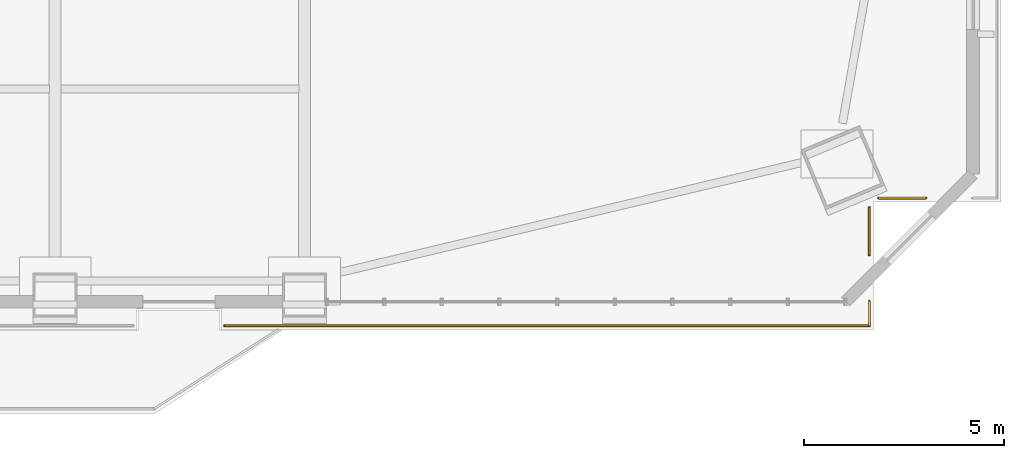
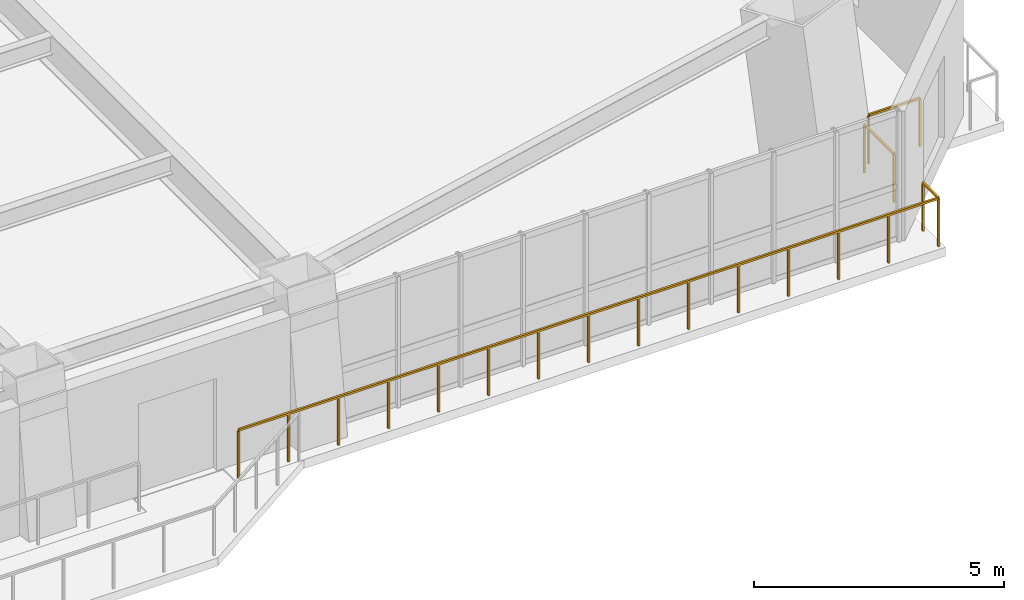
# One storey, part 14 of 17: 4 railings.
"""IFC4 building model written with IfcOpenShell, lengths in metres."""

from ifc_helpers import new_model, si_unit, direction, frame, origin, origin_2d, place, context, subcontext, project, spatial, rectangle, extrude, material, type_object, element, save


model = new_model("IFC4")

# Units and contexts
model_context = context("Model", 3, precision=1e-05, world=origin(), true_north=direction((0.0, 1.0)))
body_context = subcontext(model_context, "Body", "Model", "MODEL_VIEW")
ifc_project = project(units=[si_unit("LENGTHUNIT", "METRE"), si_unit("AREAUNIT", "SQUARE_METRE"), si_unit("VOLUMEUNIT", "CUBIC_METRE"), si_unit("PLANEANGLEUNIT", "RADIAN"), si_unit("MASSUNIT", "GRAM", prefix="KILO")], contexts=[model_context])

# Site, building, storey
site_placement = place(None, origin())
site = spatial("IfcSite", under=ifc_project, at=site_placement, CompositionType="ELEMENT")
building_placement = place(site_placement, origin())
building = spatial("IfcBuilding", under=site, at=building_placement, Name="Giltprow Tower", CompositionType="ELEMENT")
storey_placement = place(building_placement, frame((0.0, 0.0, 33.199951171875)))
storey = spatial("IfcBuildingStorey", under=building, at=storey_placement, Name="L08", CompositionType="ELEMENT", Elevation=33.199951171875)

# Railings
ifc_material = material(Name="Anodized bronze", Category="metal")
railing_type = type_object("IfcRailingType", Name="RAIL-BALC-GUARD-1200", PredefinedType="BALUSTRADE", material=ifc_material)
railing_1_placement = place(storey_placement, frame((66.1201171875, 5.89990234375, 0.0)))
element("IfcRailing", 1, at=railing_1_placement, inside=storey, type_object=railing_type, Name="L08 Corner Apron Edge Balustrade 18", PredefinedType="BALUSTRADE", context=body_context, shape_type="SweptSolid", body=[
    extrude(rectangle(XDim=0.048095703125, YDim=0.048095703125, at=origin_2d()), frame((0.0, 0.0, 1.17578125), z_axis=(-1.0, 0.0, 0.0), x_axis=(0.0, -1.0, 0.0)), (0.0, 0.0, 1.0), 1.18505859375),
    extrude(rectangle(XDim=0.0419921875, YDim=0.0419921875, at=origin_2d()), origin(), (0.0, 0.0, 1.0), 1.15185546875),
    extrude(rectangle(XDim=0.0419921875, YDim=0.0419921875, at=origin_2d()), frame((-1.18505859375, 0.0, 0.0)), (0.0, 0.0, 1.0), 1.15185546875),
])
railing_2_placement = place(storey_placement, frame((64.699951171875, 5.6650390625, 0.0)))
element("IfcRailing", 2, at=railing_2_placement, inside=storey, type_object=railing_type, Name="L08 Corner Apron Edge Balustrade 19", PredefinedType="BALUSTRADE", context=body_context, shape_type="SweptSolid", body=[
    extrude(rectangle(XDim=0.048095703125, YDim=0.048095703125, at=origin_2d()), frame((0.0, 0.0, 1.17578125), z_axis=(0.0, -1.0, 0.0), x_axis=(1.0, 0.0, 0.0)), (0.0, 0.0, 1.0), 1.18505859375),
    extrude(rectangle(XDim=0.0419921875, YDim=0.0419921875, at=origin_2d()), origin(), (0.0, 0.0, 1.0), 1.15185546875),
    extrude(rectangle(XDim=0.0419921875, YDim=0.0419921875, at=origin_2d()), frame((0.0, -1.18505859375, 0.0)), (0.0, 0.0, 1.0), 1.15185546875),
])
railing_3_placement = place(storey_placement, frame((64.699951171875, 3.320068359375, 0.0)))
element("IfcRailing", 3, at=railing_3_placement, inside=storey, type_object=railing_type, Name="L08 Corner Apron Edge Balustrade 20", PredefinedType="BALUSTRADE", context=body_context, shape_type="SweptSolid", body=[
    extrude(rectangle(XDim=0.048095703125, YDim=0.048095703125, at=origin_2d()), frame((0.0, 0.0, 1.17578125), z_axis=(0.0, -1.0, 0.0), x_axis=(1.0, 0.0, 0.0)), (0.0, 0.0, 1.0), 0.6201171875),
    extrude(rectangle(XDim=0.0419921875, YDim=0.0419921875, at=origin_2d()), origin(), (0.0, 0.0, 1.0), 1.15185546875),
    extrude(rectangle(XDim=0.0419921875, YDim=0.0419921875, at=origin_2d()), frame((0.0, -0.6201171875, 0.0)), (0.0, 0.0, 1.0), 1.15185546875),
])
railing_4_placement = place(storey_placement, frame((64.699951171875, 2.699951171875, 0.0)))
element("IfcRailing", 4, at=railing_4_placement, inside=storey, type_object=railing_type, Name="L08 Corner Apron Edge Balustrade 21", PredefinedType="BALUSTRADE", context=body_context, shape_type="SweptSolid", body=[
    extrude(rectangle(XDim=0.048095703125, YDim=0.048095703125, at=origin_2d()), frame((0.0, 0.0, 1.17578125), z_axis=(-1.0, 0.0, 0.0), x_axis=(0.0, -1.0, 0.0)), (0.0, 0.0, 1.0), 16.14990234375),
    extrude(rectangle(XDim=0.0419921875, YDim=0.0419921875, at=origin_2d()), origin(), (0.0, 0.0, 1.0), 1.15185546875),
    extrude(rectangle(XDim=0.0419921875, YDim=0.0419921875, at=origin_2d()), frame((-1.153564453125, 0.0, 0.0)), (0.0, 0.0, 1.0), 1.15185546875),
    extrude(rectangle(XDim=0.0419921875, YDim=0.0419921875, at=origin_2d()), frame((-2.30712890625, 0.0, 0.0)), (0.0, 0.0, 1.0), 1.15185546875),
    extrude(rectangle(XDim=0.0419921875, YDim=0.0419921875, at=origin_2d()), frame((-3.460693359375, 0.0, 0.0)), (0.0, 0.0, 1.0), 1.15185546875),
    extrude(rectangle(XDim=0.0419921875, YDim=0.0419921875, at=origin_2d()), frame((-4.6142578125, 0.0, 0.0)), (0.0, 0.0, 1.0), 1.15185546875),
    extrude(rectangle(XDim=0.0419921875, YDim=0.0419921875, at=origin_2d()), frame((-5.767822265625, 0.0, 0.0)), (0.0, 0.0, 1.0), 1.15185546875),
    extrude(rectangle(XDim=0.0419921875, YDim=0.0419921875, at=origin_2d()), frame((-6.92138671875, 0.0, 0.0)), (0.0, 0.0, 1.0), 1.15185546875),
    extrude(rectangle(XDim=0.0419921875, YDim=0.0419921875, at=origin_2d()), frame((-8.074951171875, 0.0, 0.0)), (0.0, 0.0, 1.0), 1.15185546875),
    extrude(rectangle(XDim=0.0419921875, YDim=0.0419921875, at=origin_2d()), frame((-9.228515625, 0.0, 0.0)), (0.0, 0.0, 1.0), 1.15185546875),
    extrude(rectangle(XDim=0.0419921875, YDim=0.0419921875, at=origin_2d()), frame((-10.382080078125, 0.0, 0.0)), (0.0, 0.0, 1.0), 1.15185546875),
    extrude(rectangle(XDim=0.0419921875, YDim=0.0419921875, at=origin_2d()), frame((-11.53564453125, 0.0, 0.0)), (0.0, 0.0, 1.0), 1.15185546875),
    extrude(rectangle(XDim=0.0419921875, YDim=0.0419921875, at=origin_2d()), frame((-12.689208984375, 0.0, 0.0)), (0.0, 0.0, 1.0), 1.15185546875),
    extrude(rectangle(XDim=0.0419921875, YDim=0.0419921875, at=origin_2d()), frame((-13.8427734375, 0.0, 0.0)), (0.0, 0.0, 1.0), 1.15185546875),
    extrude(rectangle(XDim=0.0419921875, YDim=0.0419921875, at=origin_2d()), frame((-14.996337890625, 0.0, 0.0)), (0.0, 0.0, 1.0), 1.15185546875),
    extrude(rectangle(XDim=0.0419921875, YDim=0.0419921875, at=origin_2d()), frame((-16.14990234375, 0.0, 0.0)), (0.0, 0.0, 1.0), 1.15185546875),
])

save(model, "model.ifc")
